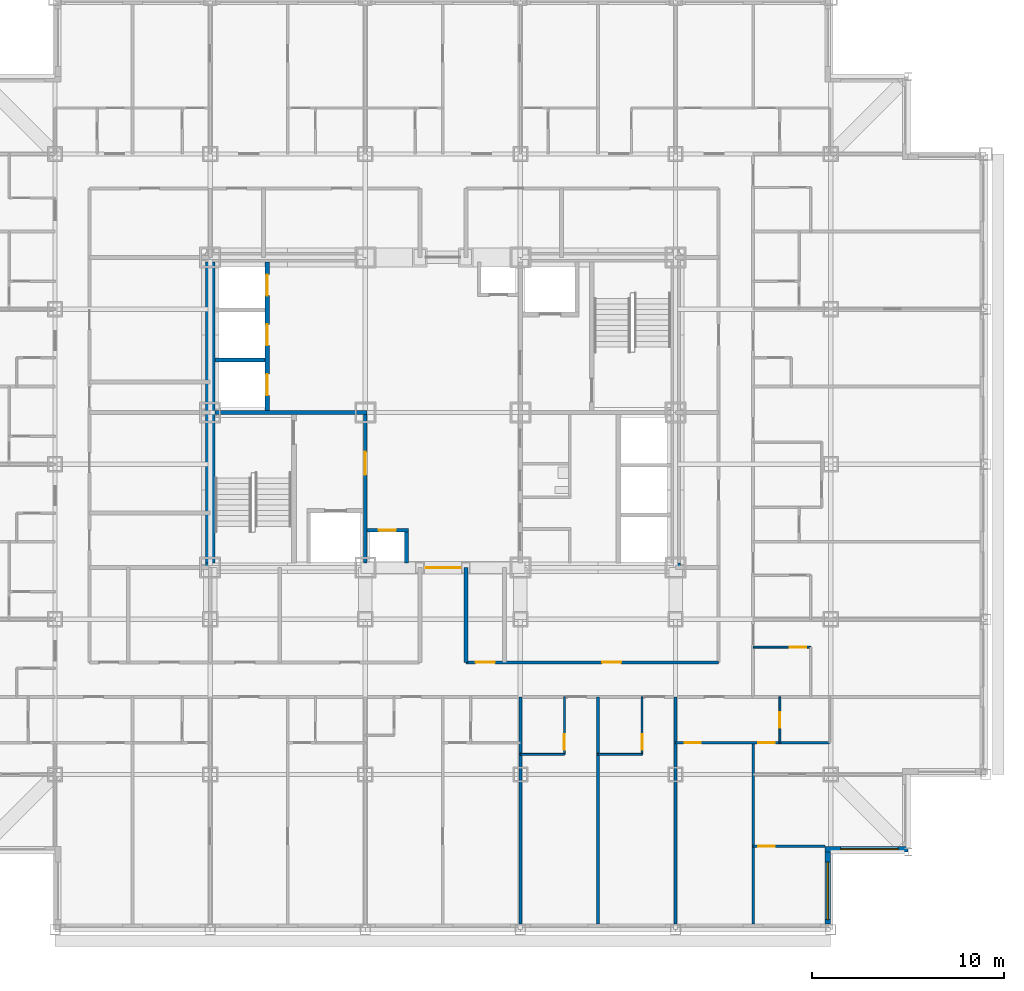
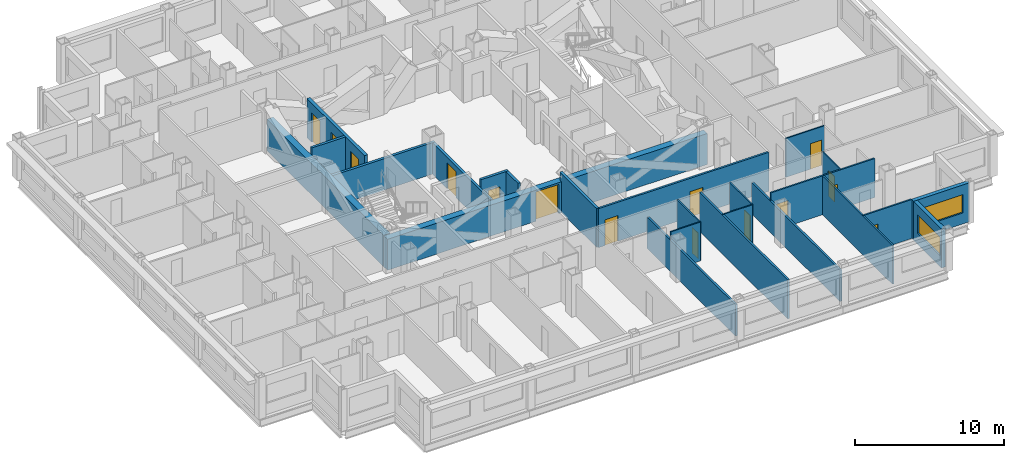
# One storey, part 7 of 15: 24 walls, 15 doors, 2 windows, 17 openings.
"""IFC4 building model written with IfcOpenShell, lengths in metres."""

from ifc_helpers import new_model, si_unit, direction, frame, frame_2d, origin, place, context, subcontext, project, spatial, rectangle, extrude, material, layer, layer_set, type_object, element, fill, save


model = new_model("IFC4")

# Units and contexts
model_context = context("Model", 3, precision=1e-05, world=origin(), true_north=direction((0.0, 1.0)))
body_context = subcontext(model_context, "Body", "Model", "MODEL_VIEW")
ifc_project = project(units=[si_unit("LENGTHUNIT", "METRE"), si_unit("AREAUNIT", "SQUARE_METRE"), si_unit("VOLUMEUNIT", "CUBIC_METRE"), si_unit("PLANEANGLEUNIT", "RADIAN"), si_unit("MASSUNIT", "GRAM", prefix="KILO")], contexts=[model_context])

# Site, building, storey
site_placement = place(None, origin())
site = spatial("IfcSite", under=ifc_project, at=site_placement, CompositionType="ELEMENT")
building_placement = place(site_placement, origin())
building = spatial("IfcBuilding", under=site, at=building_placement, Name="Kopane Lantern Tower", CompositionType="ELEMENT")
storey_placement = place(building_placement, frame((0.0, 0.0, 140.800048828125)))
storey = spatial("IfcBuildingStorey", under=building, at=storey_placement, Name="L36", CompositionType="ELEMENT", Elevation=140.800048828125)

# Wall, openings, doors
ifc_material_1 = material(Name="Gypsum board on steel studs", Category="steel")
ifc_layer_1 = layer(ifc_material_1, 0.1201171875)
ifc_layer_set_1 = layer_set([ifc_layer_1], Name="APARTMENT INTERNAL WALL 120")
wall_type_1 = type_object("IfcWallType", Name="APARTMENT INTERNAL WALL 120", PredefinedType="PARTITIONING", material=ifc_layer_set_1)
wall_1_placement = place(storey_placement, frame((40.5, 15.14990234375, 0.0), z_axis=(0.0, 0.0, 1.0), x_axis=(1.0, 0.0, 0.0)))
wall_1 = element("IfcWall", 1, at=wall_1_placement, inside=storey, type_object=wall_type_1, Name="Apartment Internal Wall 120 L36", PredefinedType="PARTITIONING", context=body_context, shape_type="SweptSolid", body=[
    extrude(rectangle(XDim=8.050048828125, YDim=0.1201171875, at=frame_2d((4.02490234375, 0.0))), origin(), (0.0, 0.0, 1.0), 3.18994140625),
])
opening_1_placement = place(wall_1_placement, frame((0.47509765625, 0.0, 0.0)))
opening_1 = element("IfcOpeningElement", 2, at=opening_1_placement, cuts=wall_1, Name="Opening L36-076", PredefinedType="OPENING", context=body_context, shape_type="SweptSolid", body=[
    extrude(rectangle(XDim=0.85009765625, YDim=2.10009765625, at=frame_2d((0.425048828125, 1.050048828125))), frame((0.0, 0.070068359375, 0.0), z_axis=(0.0, -1.0, 0.0), x_axis=(1.0, 0.0, 0.0)), (0.0, 0.0, 1.0), 0.14013671875),
])
opening_2_placement = place(wall_1_placement, frame((4.324951171875, 0.0, 0.0)))
opening_2 = element("IfcOpeningElement", 3, at=opening_2_placement, cuts=wall_1, Name="Opening L36-078", PredefinedType="OPENING", context=body_context, shape_type="SweptSolid", body=[
    extrude(rectangle(XDim=0.85009765625, YDim=2.10009765625, at=frame_2d((0.425048828125, 1.050048828125))), frame((0.0, 0.070068359375, 0.0), z_axis=(0.0, -1.0, 0.0), x_axis=(1.0, 0.0, 0.0)), (0.0, 0.0, 1.0), 0.14013671875),
])
ifc_material_2 = material(Name="Timber door set", Category="wood")
door_type_1 = type_object("IfcDoorType", Name="DOOR D4 850x2100", OperationType="SINGLE_SWING_LEFT", PredefinedType="DOOR", material=ifc_material_2)
door_1_placement = place(opening_1_placement, origin())
door_1 = element("IfcDoor", 4, at=door_1_placement, inside=storey, type_object=door_type_1, Name="Door L36-076", OperationType="SINGLE_SWING_LEFT", OverallHeight=2.10009765625, OverallWidth=0.85009765625, PredefinedType="DOOR", context=body_context, shape_type="SweptSolid", body=[
    extrude(rectangle(XDim=0.85009765625, YDim=2.10009765625, at=frame_2d((0.425048828125, 1.050048828125))), frame((0.0, 0.02490234375, 0.0), z_axis=(0.0, -1.0, 0.0), x_axis=(1.0, 0.0, 0.0)), (0.0, 0.0, 1.0), 0.050048828125),
])
fill(opening_1, door_1)
door_2_placement = place(opening_2_placement, origin())
door_2 = element("IfcDoor", 5, at=door_2_placement, inside=storey, type_object=door_type_1, Name="Door L36-078", OperationType="SINGLE_SWING_RIGHT", OverallHeight=2.10009765625, OverallWidth=0.85009765625, PredefinedType="DOOR", context=body_context, shape_type="SweptSolid", body=[
    extrude(rectangle(XDim=0.85009765625, YDim=2.10009765625, at=frame_2d((0.425048828125, 1.050048828125))), frame((0.0, 0.02490234375, 0.0), z_axis=(0.0, -1.0, 0.0), x_axis=(1.0, 0.0, 0.0)), (0.0, 0.0, 1.0), 0.050048828125),
])
fill(opening_2, door_2)

# Wall
wall_2_placement = place(storey_placement, frame((44.550048828125, 15.14990234375, 0.0), z_axis=(0.0, 0.0, 1.0), x_axis=(0.0, -1.0, 0.0)))
element("IfcWall", 6, at=wall_2_placement, inside=storey, type_object=wall_type_1, Name="Apartment Internal Wall 120 L36", PredefinedType="PARTITIONING", context=body_context, shape_type="SweptSolid", body=[
    extrude(rectangle(XDim=9.449951171875, YDim=0.1201171875, at=frame_2d((4.72509765625, 0.0))), origin(), (0.0, 0.0, 1.0), 3.18994140625),
])

# Wall, opening, door
wall_3_placement = place(storey_placement, frame((44.550048828125, 9.75, 0.0), z_axis=(0.0, 0.0, 1.0), x_axis=(1.0, 0.0, 0.0)))
wall_3 = element("IfcWall", 7, at=wall_3_placement, inside=storey, type_object=wall_type_1, Name="Apartment Internal Wall 120 L36", PredefinedType="PARTITIONING", context=body_context, shape_type="SweptSolid", body=[
    extrude(rectangle(XDim=3.75, YDim=0.1201171875, at=frame_2d((1.875, 0.0))), origin(), (0.0, 0.0, 1.0), 3.18994140625),
])
opening_3_placement = place(wall_3_placement, frame((0.27490234375, 0.0, 0.0)))
opening_3 = element("IfcOpeningElement", 8, at=opening_3_placement, cuts=wall_3, Name="Opening L36-098", PredefinedType="OPENING", context=body_context, shape_type="SweptSolid", body=[
    extrude(rectangle(XDim=0.85009765625, YDim=2.10009765625, at=frame_2d((0.425048828125, 1.050048828125))), frame((0.0, 0.070068359375, 0.0), z_axis=(0.0, -1.0, 0.0), x_axis=(1.0, 0.0, 0.0)), (0.0, 0.0, 1.0), 0.14013671875),
])
door_3_placement = place(opening_3_placement, origin())
door_3 = element("IfcDoor", 9, at=door_3_placement, inside=storey, type_object=door_type_1, Name="Door L36-098", OperationType="SINGLE_SWING_RIGHT", OverallHeight=2.10009765625, OverallWidth=0.85009765625, PredefinedType="DOOR", context=body_context, shape_type="SweptSolid", body=[
    extrude(rectangle(XDim=0.85009765625, YDim=2.10009765625, at=frame_2d((0.425048828125, 1.050048828125))), frame((0.0, 0.02490234375, 0.0), z_axis=(0.0, -1.0, 0.0), x_axis=(1.0, 0.0, 0.0)), (0.0, 0.0, 1.0), 0.050048828125),
])
fill(opening_3, door_3)

# Wall
ifc_material_3 = material(Name="Moisture-resistant board on steel studs", Category="steel")
ifc_layer_2 = layer(ifc_material_3, 0.10009765625)
ifc_layer_set_2 = layer_set([ifc_layer_2], Name="BATHROOM WALL 100")
wall_type_2 = type_object("IfcWallType", Name="BATHROOM WALL 100", PredefinedType="PARTITIONING", material=ifc_layer_set_2)
wall_4_placement = place(storey_placement, frame((32.39990234375, 14.550048828125, 0.0), z_axis=(0.0, 0.0, 1.0), x_axis=(1.0, 0.0, 0.0)))
element("IfcWall", 10, at=wall_4_placement, inside=storey, type_object=wall_type_2, Name="Bathroom Wall 100 L36", PredefinedType="PARTITIONING", context=body_context, shape_type="SweptSolid", body=[
    extrude(rectangle(XDim=2.300048828125, YDim=0.10009765625, at=frame_2d((1.14990234375, 0.0))), origin(), (0.0, 0.0, 1.0), 3.18994140625),
])

# Wall, opening, door
wall_5_placement = place(storey_placement, frame((34.699951171875, 17.550048828125, 0.0), z_axis=(0.0, 0.0, 1.0), x_axis=(0.0, -1.0, 0.0)))
wall_5 = element("IfcWall", 11, at=wall_5_placement, inside=storey, type_object=wall_type_2, Name="Bathroom Wall 100 L36", PredefinedType="PARTITIONING", context=body_context, shape_type="SweptSolid", body=[
    extrude(rectangle(XDim=3.0, YDim=0.10009765625, at=frame_2d((1.5, 0.0))), origin(), (0.0, 0.0, 1.0), 3.18994140625),
])
opening_4_placement = place(wall_5_placement, frame((1.949951171875, 0.0, 0.0)))
opening_4 = element("IfcOpeningElement", 12, at=opening_4_placement, cuts=wall_5, Name="Opening L36-027", PredefinedType="OPENING", context=body_context, shape_type="SweptSolid", body=[
    extrude(rectangle(XDim=0.800048828125, YDim=2.10009765625, at=frame_2d((0.39990234375, 1.050048828125))), frame((0.0, 0.06005859375, 0.0), z_axis=(0.0, -1.0, 0.0), x_axis=(1.0, 0.0, 0.0)), (0.0, 0.0, 1.0), 0.1201171875),
])
ifc_material_4 = material(Name="Timber door set", Category="wood")
door_type_2 = type_object("IfcDoorType", Name="DOOR D2 800x2100", OperationType="SINGLE_SWING_LEFT", PredefinedType="DOOR", material=ifc_material_4)
door_4_placement = place(opening_4_placement, origin())
door_4 = element("IfcDoor", 13, at=door_4_placement, inside=storey, type_object=door_type_2, Name="Door L36-027", OperationType="SINGLE_SWING_LEFT", OverallHeight=2.10009765625, OverallWidth=0.800048828125, PredefinedType="DOOR", context=body_context, shape_type="SweptSolid", body=[
    extrude(rectangle(XDim=0.800048828125, YDim=2.10009765625, at=frame_2d((0.39990234375, 1.050048828125))), frame((0.0, 0.02490234375, 0.0), z_axis=(0.0, -1.0, 0.0), x_axis=(1.0, 0.0, 0.0)), (0.0, 0.0, 1.0), 0.050048828125),
])
fill(opening_4, door_4)

# Wall
wall_6_placement = place(storey_placement, frame((36.449951171875, 14.550048828125, 0.0), z_axis=(0.0, 0.0, 1.0), x_axis=(1.0, 0.0, 0.0)))
element("IfcWall", 14, at=wall_6_placement, inside=storey, type_object=wall_type_2, Name="Bathroom Wall 100 L36", PredefinedType="PARTITIONING", context=body_context, shape_type="SweptSolid", body=[
    extrude(rectangle(XDim=2.300048828125, YDim=0.10009765625, at=frame_2d((1.14990234375, 0.0))), origin(), (0.0, 0.0, 1.0), 3.18994140625),
])

# Wall, opening, door
wall_7_placement = place(storey_placement, frame((38.75, 17.550048828125, 0.0), z_axis=(0.0, 0.0, 1.0), x_axis=(0.0, -1.0, 0.0)))
wall_7 = element("IfcWall", 15, at=wall_7_placement, inside=storey, type_object=wall_type_2, Name="Bathroom Wall 100 L36", PredefinedType="PARTITIONING", context=body_context, shape_type="SweptSolid", body=[
    extrude(rectangle(XDim=3.0, YDim=0.10009765625, at=frame_2d((1.5, 0.0))), origin(), (0.0, 0.0, 1.0), 3.18994140625),
])
opening_5_placement = place(wall_7_placement, frame((1.949951171875, 0.0, 0.0)))
opening_5 = element("IfcOpeningElement", 16, at=opening_5_placement, cuts=wall_7, Name="Opening L36-029", PredefinedType="OPENING", context=body_context, shape_type="SweptSolid", body=[
    extrude(rectangle(XDim=0.800048828125, YDim=2.10009765625, at=frame_2d((0.39990234375, 1.050048828125))), frame((0.0, 0.06005859375, 0.0), z_axis=(0.0, -1.0, 0.0), x_axis=(1.0, 0.0, 0.0)), (0.0, 0.0, 1.0), 0.1201171875),
])
door_5_placement = place(opening_5_placement, origin())
door_5 = element("IfcDoor", 17, at=door_5_placement, inside=storey, type_object=door_type_2, Name="Door L36-029", OperationType="SINGLE_SWING_LEFT", OverallHeight=2.10009765625, OverallWidth=0.800048828125, PredefinedType="DOOR", context=body_context, shape_type="SweptSolid", body=[
    extrude(rectangle(XDim=0.800048828125, YDim=2.10009765625, at=frame_2d((0.39990234375, 1.050048828125))), frame((0.0, 0.02490234375, 0.0), z_axis=(0.0, -1.0, 0.0), x_axis=(1.0, 0.0, 0.0)), (0.0, 0.0, 1.0), 0.050048828125),
])
fill(opening_5, door_5)

wall_8_placement = place(storey_placement, frame((44.550048828125, 20.14990234375, 0.0), z_axis=(0.0, 0.0, 1.0), x_axis=(1.0, 0.0, 0.0)))
wall_8 = element("IfcWall", 18, at=wall_8_placement, inside=storey, type_object=wall_type_2, Name="Bathroom Wall 100 L36", PredefinedType="PARTITIONING", context=body_context, shape_type="SweptSolid", body=[
    extrude(rectangle(XDim=3.0, YDim=0.10009765625, at=frame_2d((1.5, 0.0))), origin(), (0.0, 0.0, 1.0), 3.18994140625),
])
opening_6_placement = place(wall_8_placement, frame((1.925048828125, 0.0, 0.0)))
opening_6 = element("IfcOpeningElement", 19, at=opening_6_placement, cuts=wall_8, Name="Opening L36-057", PredefinedType="OPENING", context=body_context, shape_type="SweptSolid", body=[
    extrude(rectangle(XDim=0.85009765625, YDim=2.10009765625, at=frame_2d((0.425048828125, 1.050048828125))), frame((0.0, 0.06005859375, 0.0), z_axis=(0.0, -1.0, 0.0), x_axis=(1.0, 0.0, 0.0)), (0.0, 0.0, 1.0), 0.1201171875),
])
door_6_placement = place(opening_6_placement, origin())
door_6 = element("IfcDoor", 20, at=door_6_placement, inside=storey, type_object=door_type_1, Name="Door L36-057", OperationType="SINGLE_SWING_LEFT", OverallHeight=2.10009765625, OverallWidth=0.85009765625, PredefinedType="DOOR", context=body_context, shape_type="SweptSolid", body=[
    extrude(rectangle(XDim=0.85009765625, YDim=2.10009765625, at=frame_2d((0.425048828125, 1.050048828125))), frame((0.0, 0.02490234375, 0.0), z_axis=(0.0, -1.0, 0.0), x_axis=(1.0, 0.0, 0.0)), (0.0, 0.0, 1.0), 0.050048828125),
])
fill(opening_6, door_6)

wall_9_placement = place(storey_placement, frame((45.949951171875, 17.550048828125, 0.0), z_axis=(0.0, 0.0, 1.0), x_axis=(0.0, -1.0, 0.0)))
wall_9 = element("IfcWall", 21, at=wall_9_placement, inside=storey, type_object=wall_type_2, Name="Bathroom Wall 100 L36", PredefinedType="PARTITIONING", context=body_context, shape_type="SweptSolid", body=[
    extrude(rectangle(XDim=2.400146484375, YDim=0.10009765625, at=frame_2d((1.2001953125, 0.0))), origin(), (0.0, 0.0, 1.0), 3.18994140625),
])
opening_7_placement = place(wall_9_placement, frame((0.800048828125, 0.0, 0.0)))
opening_7 = element("IfcOpeningElement", 22, at=opening_7_placement, cuts=wall_9, Name="Opening L36-077", PredefinedType="OPENING", context=body_context, shape_type="SweptSolid", body=[
    extrude(rectangle(XDim=0.800048828125, YDim=2.10009765625, at=frame_2d((0.39990234375, 1.050048828125))), frame((0.0, 0.06005859375, 0.0), z_axis=(0.0, -1.0, 0.0), x_axis=(1.0, 0.0, 0.0)), (0.0, 0.0, 1.0), 0.1201171875),
])
door_7_placement = place(opening_7_placement, origin())
door_7 = element("IfcDoor", 23, at=door_7_placement, inside=storey, type_object=door_type_2, Name="Door L36-077", OperationType="SINGLE_SWING_LEFT", OverallHeight=2.10009765625, OverallWidth=0.800048828125, PredefinedType="DOOR", context=body_context, shape_type="SweptSolid", body=[
    extrude(rectangle(XDim=0.800048828125, YDim=2.10009765625, at=frame_2d((0.39990234375, 1.050048828125))), frame((0.0, 0.02490234375, 0.0), z_axis=(0.0, -1.0, 0.0), x_axis=(1.0, 0.0, 0.0)), (0.0, 0.0, 1.0), 0.050048828125),
])
fill(opening_7, door_7)

ifc_material_5 = material(Name="Gypsum shaft wall EI 120", Category="gypsum")
ifc_layer_3 = layer(ifc_material_5, 0.5)
ifc_layer_set_3 = layer_set([ifc_layer_3], Name="CORE PERIMETER WALL 500 EI 120")
wall_type_3 = type_object("IfcWallType", Name="CORE PERIMETER WALL 500 EI 120", PredefinedType="SOLIDWALL", material=ifc_layer_set_3)
wall_10_placement = place(storey_placement, frame((15.949951171875, 24.300048828125, 0.0), z_axis=(0.0, 0.0, 1.0), x_axis=(1.0, 0.0, 0.0)))
wall_10 = element("IfcWall", 24, at=wall_10_placement, inside=storey, type_object=wall_type_3, Name="Core shaft wall L36 PS", PredefinedType="SOLIDWALL", context=body_context, shape_type="SweptSolid", body=[
    extrude(rectangle(XDim=24.800048828125, YDim=0.5, at=frame_2d((12.39990234375, 0.0))), origin(), (0.0, 0.0, 1.0), 2.5400390625),
])
opening_8_placement = place(wall_10_placement, frame((11.5, 0.0, 0.0)))
opening_8 = element("IfcOpeningElement", 25, at=opening_8_placement, cuts=wall_10, Name="Opening 36.CE-S", PredefinedType="OPENING", context=body_context, shape_type="SweptSolid", body=[
    extrude(rectangle(XDim=1.800048828125, YDim=2.39990234375, at=frame_2d((0.89990234375, 1.199951171875))), frame((0.0, 0.260009765625, 0.0), z_axis=(0.0, -1.0, 0.0), x_axis=(1.0, 0.0, 0.0)), (0.0, 0.0, 1.0), 0.52001953125),
])
ifc_material_6 = material(Name="Steel door set", Category="steel")
door_type_3 = type_object("IfcDoorType", Name="CORE ENTRY DOOR 1800x2400 FD60S", OperationType="DOUBLE_DOOR_SINGLE_SWING", PredefinedType="DOOR", material=ifc_material_6)
door_8_placement = place(opening_8_placement, origin())
door_8 = element("IfcDoor", 26, at=door_8_placement, inside=storey, type_object=door_type_3, Name="Core entry door L36 south", OperationType="DOUBLE_DOOR_SINGLE_SWING", OverallHeight=2.39990234375, OverallWidth=1.800048828125, PredefinedType="DOOR", context=body_context, shape_type="SweptSolid", body=[
    extrude(rectangle(XDim=1.800048828125, YDim=2.39990234375, at=frame_2d((0.89990234375, 1.199951171875))), frame((0.0, 0.02490234375, 0.0), z_axis=(0.0, -1.0, 0.0), x_axis=(1.0, 0.0, 0.0)), (0.0, 0.0, 1.0), 0.050048828125),
])
fill(opening_8, door_8)

# Wall
wall_11_placement = place(storey_placement, frame((16.199951171875, 24.550048828125, 0.0), z_axis=(0.0, 0.0, 1.0), x_axis=(0.0, 1.0, 0.0)))
element("IfcWall", 27, at=wall_11_placement, inside=storey, type_object=wall_type_3, Name="Core shaft wall L36 PW", PredefinedType="SOLIDWALL", context=body_context, shape_type="SweptSolid", body=[
    extrude(rectangle(XDim=15.699951171875, YDim=0.5, at=frame_2d((7.85009765625, 0.0))), origin(), (0.0, 0.0, 1.0), 2.57763671875),
])

# Wall, openings, doors
ifc_material_7 = material(Name="Gypsum shaft wall EI 120", Category="gypsum")
ifc_layer_4 = layer(ifc_material_7, 0.25)
ifc_layer_set_4 = layer_set([ifc_layer_4], Name="CORE SHAFT WALL 250 EI 120")
wall_type_4 = type_object("IfcWallType", Name="CORE SHAFT WALL 250 EI 120", PredefinedType="SOLIDWALL", material=ifc_layer_set_4)
wall_12_placement = place(storey_placement, frame((19.175048828125, 32.5, 0.0), z_axis=(0.0, 0.0, 1.0), x_axis=(0.0, 1.0, 0.0)))
wall_12 = element("IfcWall", 28, at=wall_12_placement, inside=storey, type_object=wall_type_4, Name="Core shaft wall L36 XLH", PredefinedType="SOLIDWALL", context=body_context, shape_type="SweptSolid", body=[
    extrude(rectangle(XDim=7.75, YDim=0.25, at=frame_2d((3.875, 0.0))), origin(), (0.0, 0.0, 1.0), 3.18994140625),
])
opening_9_placement = place(wall_12_placement, frame((0.800048828125, 0.0, 0.0)))
opening_9 = element("IfcOpeningElement", 29, at=opening_9_placement, cuts=wall_12, Name="Opening 36.LD-LH1", PredefinedType="OPENING", context=body_context, shape_type="SweptSolid", body=[
    extrude(rectangle(XDim=1.10009765625, YDim=2.39990234375, at=frame_2d((0.550048828125, 1.199951171875))), frame((0.0, 0.135009765625, 0.0), z_axis=(0.0, -1.0, 0.0), x_axis=(1.0, 0.0, 0.0)), (0.0, 0.0, 1.0), 0.27001953125),
])
opening_10_placement = place(wall_12_placement, frame((3.39990234375, 0.0, 0.0)))
opening_10 = element("IfcOpeningElement", 30, at=opening_10_placement, cuts=wall_12, Name="Opening 36.LD-LH2", PredefinedType="OPENING", context=body_context, shape_type="SweptSolid", body=[
    extrude(rectangle(XDim=1.10009765625, YDim=2.39990234375, at=frame_2d((0.550048828125, 1.199951171875))), frame((0.0, 0.135009765625, 0.0), z_axis=(0.0, -1.0, 0.0), x_axis=(1.0, 0.0, 0.0)), (0.0, 0.0, 1.0), 0.27001953125),
])
opening_11_placement = place(wall_12_placement, frame((6.0, 0.0, 0.0)))
opening_11 = element("IfcOpeningElement", 31, at=opening_11_placement, cuts=wall_12, Name="Opening 36.LD-LH3", PredefinedType="OPENING", context=body_context, shape_type="SweptSolid", body=[
    extrude(rectangle(XDim=1.10009765625, YDim=2.39990234375, at=frame_2d((0.550048828125, 1.199951171875))), frame((0.0, 0.135009765625, 0.0), z_axis=(0.0, -1.0, 0.0), x_axis=(1.0, 0.0, 0.0)), (0.0, 0.0, 1.0), 0.27001953125),
])
ifc_material_8 = material(Name="Steel door set", Category="steel")
door_type_4 = type_object("IfcDoorType", Name="LIFT LANDING DOOR 1100x2400 FD60", OperationType="DOUBLE_DOOR_SLIDING", PredefinedType="DOOR", material=ifc_material_8)
door_9_placement = place(opening_9_placement, origin())
door_9 = element("IfcDoor", 32, at=door_9_placement, inside=storey, type_object=door_type_4, Name="Landing door LH1 L36", OperationType="DOUBLE_DOOR_SLIDING", OverallHeight=2.39990234375, OverallWidth=1.10009765625, PredefinedType="DOOR", context=body_context, shape_type="SweptSolid", body=[
    extrude(rectangle(XDim=1.10009765625, YDim=2.39990234375, at=frame_2d((0.550048828125, 1.199951171875))), frame((0.0, 0.02490234375, 0.0), z_axis=(0.0, -1.0, 0.0), x_axis=(1.0, 0.0, 0.0)), (0.0, 0.0, 1.0), 0.050048828125),
])
fill(opening_9, door_9)
door_10_placement = place(opening_10_placement, origin())
door_10 = element("IfcDoor", 33, at=door_10_placement, inside=storey, type_object=door_type_4, Name="Landing door LH2 L36", OperationType="DOUBLE_DOOR_SLIDING", OverallHeight=2.39990234375, OverallWidth=1.10009765625, PredefinedType="DOOR", context=body_context, shape_type="SweptSolid", body=[
    extrude(rectangle(XDim=1.10009765625, YDim=2.39990234375, at=frame_2d((0.550048828125, 1.199951171875))), frame((0.0, 0.02490234375, 0.0), z_axis=(0.0, -1.0, 0.0), x_axis=(1.0, 0.0, 0.0)), (0.0, 0.0, 1.0), 0.050048828125),
])
fill(opening_10, door_10)
door_11_placement = place(opening_11_placement, origin())
door_11 = element("IfcDoor", 34, at=door_11_placement, inside=storey, type_object=door_type_4, Name="Landing door LH3 L36", OperationType="DOUBLE_DOOR_SLIDING", OverallHeight=2.39990234375, OverallWidth=1.10009765625, PredefinedType="DOOR", context=body_context, shape_type="SweptSolid", body=[
    extrude(rectangle(XDim=1.10009765625, YDim=2.39990234375, at=frame_2d((0.550048828125, 1.199951171875))), frame((0.0, 0.02490234375, 0.0), z_axis=(0.0, -1.0, 0.0), x_axis=(1.0, 0.0, 0.0)), (0.0, 0.0, 1.0), 0.050048828125),
])
fill(opening_11, door_11)

ifc_material_9 = material(Name="Gypsum board on steel studs", Category="steel")
ifc_layer_5 = layer(ifc_material_9, 0.14990234375)
ifc_layer_set_5 = layer_set([ifc_layer_5], Name="CORRIDOR WALL 150 EI 60")
wall_type_5 = type_object("IfcWallType", Name="CORRIDOR WALL 150 EI 60", PredefinedType="PARTITIONING", material=ifc_layer_set_5)
wall_13_placement = place(storey_placement, frame((29.56005859375, 19.35009765625, 0.0), z_axis=(0.0, 0.0, 1.0), x_axis=(1.0, 0.0, 0.0)))
wall_13 = element("IfcWall", 35, at=wall_13_placement, inside=storey, type_object=wall_type_5, Name="Corridor Wall 150 Ei 60 L36", PredefinedType="PARTITIONING", context=body_context, shape_type="SweptSolid", body=[
    extrude(rectangle(XDim=13.18994140625, YDim=0.14990234375, at=frame_2d((6.594970703125, 0.0))), origin(), (0.0, 0.0, 1.0), 3.18994140625),
])
opening_12_placement = place(wall_13_placement, frame((0.5, 0.0, 0.0)))
opening_12 = element("IfcOpeningElement", 36, at=opening_12_placement, cuts=wall_13, Name="Opening L36-011", PredefinedType="OPENING", context=body_context, shape_type="SweptSolid", body=[
    extrude(rectangle(XDim=1.0, YDim=2.10009765625, at=frame_2d((0.5, 1.050048828125))), frame((0.0, 0.0849609375, 0.0), z_axis=(0.0, -1.0, 0.0), x_axis=(1.0, 0.0, 0.0)), (0.0, 0.0, 1.0), 0.169921875),
])
opening_13_placement = place(wall_13_placement, frame((7.10009765625, 0.0, 0.0)))
opening_13 = element("IfcOpeningElement", 37, at=opening_13_placement, cuts=wall_13, Name="Opening L36-012", PredefinedType="OPENING", context=body_context, shape_type="SweptSolid", body=[
    extrude(rectangle(XDim=1.0, YDim=2.10009765625, at=frame_2d((0.5, 1.050048828125))), frame((0.0, 0.0849609375, 0.0), z_axis=(0.0, -1.0, 0.0), x_axis=(1.0, 0.0, 0.0)), (0.0, 0.0, 1.0), 0.169921875),
])
ifc_material_10 = material(Name="Steel door set", Category="steel")
door_type_5 = type_object("IfcDoorType", Name="DOOR D5 1000x2100 FD60", OperationType="SINGLE_SWING_LEFT", PredefinedType="DOOR", material=ifc_material_10)
door_12_placement = place(opening_12_placement, origin())
door_12 = element("IfcDoor", 38, at=door_12_placement, inside=storey, type_object=door_type_5, Name="Door L36-011", OperationType="SINGLE_SWING_LEFT", OverallHeight=2.10009765625, OverallWidth=1.0, PredefinedType="DOOR", context=body_context, shape_type="SweptSolid", body=[
    extrude(rectangle(XDim=1.0, YDim=2.10009765625, at=frame_2d((0.5, 1.050048828125))), frame((0.0, 0.02490234375, 0.0), z_axis=(0.0, -1.0, 0.0), x_axis=(1.0, 0.0, 0.0)), (0.0, 0.0, 1.0), 0.050048828125),
])
fill(opening_12, door_12)
door_13_placement = place(opening_13_placement, origin())
door_13 = element("IfcDoor", 39, at=door_13_placement, inside=storey, type_object=door_type_5, Name="Door L36-012", OperationType="SINGLE_SWING_RIGHT", OverallHeight=2.10009765625, OverallWidth=1.0, PredefinedType="DOOR", context=body_context, shape_type="SweptSolid", body=[
    extrude(rectangle(XDim=1.0, YDim=2.10009765625, at=frame_2d((0.5, 1.050048828125))), frame((0.0, 0.02490234375, 0.0), z_axis=(0.0, -1.0, 0.0), x_axis=(1.0, 0.0, 0.0)), (0.0, 0.0, 1.0), 0.050048828125),
])
fill(opening_13, door_13)

# Walls
ifc_material_11 = material(Name="Gypsum board on steel studs", Category="steel")
ifc_layer_6 = layer(ifc_material_11, 0.14990234375)
ifc_layer_set_6 = layer_set([ifc_layer_6], Name="DEMISING WALL 150 EI 60")
wall_type_6 = type_object("IfcWallType", Name="DEMISING WALL 150 EI 60", PredefinedType="PARTITIONING", material=ifc_layer_set_6)
wall_14_placement = place(storey_placement, frame((32.39990234375, 17.550048828125, 0.0), z_axis=(0.0, 0.0, 1.0), x_axis=(0.0, -1.0, 0.0)))
element("IfcWall", 40, at=wall_14_placement, inside=storey, type_object=wall_type_6, Name="Demising Wall 150 Ei 60 L36", PredefinedType="PARTITIONING", context=body_context, shape_type="SweptSolid", body=[
    extrude(rectangle(XDim=11.85009765625, YDim=0.14990234375, at=frame_2d((5.925048828125, 0.0))), origin(), (0.0, 0.0, 1.0), 2.57763671875),
])
wall_15_placement = place(storey_placement, frame((36.449951171875, 17.550048828125, 0.0), z_axis=(0.0, 0.0, 1.0), x_axis=(0.0, -1.0, 0.0)))
element("IfcWall", 41, at=wall_15_placement, inside=storey, type_object=wall_type_6, Name="Demising Wall 150 Ei 60 L36", PredefinedType="PARTITIONING", context=body_context, shape_type="SweptSolid", body=[
    extrude(rectangle(XDim=11.85009765625, YDim=0.14990234375, at=frame_2d((5.925048828125, 0.0))), origin(), (0.0, 0.0, 1.0), 3.18994140625),
])
wall_16_placement = place(storey_placement, frame((40.5, 17.550048828125, 0.0), z_axis=(0.0, 0.0, 1.0), x_axis=(0.0, -1.0, 0.0)))
element("IfcWall", 42, at=wall_16_placement, inside=storey, type_object=wall_type_6, Name="Demising Wall 150 Ei 60 L36", PredefinedType="PARTITIONING", context=body_context, shape_type="SweptSolid", body=[
    extrude(rectangle(XDim=11.85009765625, YDim=0.14990234375, at=frame_2d((5.925048828125, 0.0))), origin(), (0.0, 0.0, 1.0), 2.57763671875),
])

# Wall, opening, window
ifc_material_12 = material(Name="Terracotta rainscreen on light steel framing", Category="masonry")
ifc_layer_7 = layer(ifc_material_12, 0.300048828125)
ifc_layer_set_7 = layer_set([ifc_layer_7], Name="EXTERNAL WALL EW1 300 TERRACOTTA")
wall_type_7 = type_object("IfcWallType", Name="EXTERNAL WALL EW1 300 TERRACOTTA", PredefinedType="SOLIDWALL", material=ifc_layer_set_7)
wall_17_placement = place(storey_placement, frame((48.449951171875, 5.699951171875, 0.0), z_axis=(0.0, 0.0, 1.0), x_axis=(0.0, 1.0, 0.0)))
wall_17 = element("IfcWall", 43, at=wall_17_placement, inside=storey, type_object=wall_type_7, Name="External wall E L36", PredefinedType="SOLIDWALL", context=body_context, shape_type="SweptSolid", body=[
    extrude(rectangle(XDim=3.75, YDim=0.300048828125, at=frame_2d((1.875, 0.0))), origin(), (0.0, 0.0, 1.0), 3.18994140625),
])
opening_14_placement = place(wall_17_placement, frame((0.22509765625, 0.0, 0.89990234375)))
opening_14 = element("IfcOpeningElement", 44, at=opening_14_placement, cuts=wall_17, Name="Opening WR300150", PredefinedType="OPENING", context=body_context, shape_type="SweptSolid", body=[
    extrude(rectangle(XDim=3.0, YDim=1.5, at=frame_2d((1.5, 0.75))), frame((0.0, 0.159912109375, 0.0), z_axis=(0.0, -1.0, 0.0), x_axis=(1.0, 0.0, 0.0)), (0.0, 0.0, 1.0), 0.320068359375),
])
ifc_material_13 = material(Name="Aluminium and clear glass", Category="aluminium")
window_type = type_object("IfcWindowType", Name="RIBBON WINDOW WR300150 3000x1500", PartitioningType="SINGLE_PANEL", PredefinedType="WINDOW", material=ifc_material_13)
window_1_placement = place(opening_14_placement, origin())
window_1 = element("IfcWindow", 45, at=window_1_placement, inside=storey, type_object=window_type, Name="Window E L36", OverallHeight=1.5, OverallWidth=3.0, PartitioningType="SINGLE_PANEL", PredefinedType="WINDOW", context=body_context, shape_type="SweptSolid", body=[
    extrude(rectangle(XDim=3.0, YDim=1.5, at=frame_2d((1.5, 0.75))), frame((0.0, 0.030029296875, 0.0), z_axis=(0.0, -1.0, 0.0), x_axis=(1.0, 0.0, 0.0)), (0.0, 0.0, 1.0), 0.06005859375),
])
fill(opening_14, window_1)

wall_18_placement = place(storey_placement, frame((48.300048828125, 9.60009765625, 0.0), z_axis=(0.0, 0.0, 1.0), x_axis=(1.0, 0.0, 0.0)))
wall_18 = element("IfcWall", 46, at=wall_18_placement, inside=storey, type_object=wall_type_7, Name="External wall S L36", PredefinedType="SOLIDWALL", context=body_context, shape_type="SweptSolid", body=[
    extrude(rectangle(XDim=4.349853515625, YDim=0.300048828125, at=frame_2d((2.1748046875, 0.0))), origin(), (0.0, 0.0, 1.0), 3.18994140625),
])
opening_15_placement = place(wall_18_placement, frame((0.824951171875, 0.0, 0.89990234375)))
opening_15 = element("IfcOpeningElement", 47, at=opening_15_placement, cuts=wall_18, Name="Opening WR300150", PredefinedType="OPENING", context=body_context, shape_type="SweptSolid", body=[
    extrude(rectangle(XDim=3.0, YDim=1.5, at=frame_2d((1.5, 0.75))), frame((0.0, 0.159912109375, 0.0), z_axis=(0.0, -1.0, 0.0), x_axis=(1.0, 0.0, 0.0)), (0.0, 0.0, 1.0), 0.320068359375),
])
window_2_placement = place(opening_15_placement, origin())
window_2 = element("IfcWindow", 48, at=window_2_placement, inside=storey, type_object=window_type, Name="Window S L36", OverallHeight=1.5, OverallWidth=3.0, PartitioningType="SINGLE_PANEL", PredefinedType="WINDOW", context=body_context, shape_type="SweptSolid", body=[
    extrude(rectangle(XDim=3.0, YDim=1.5, at=frame_2d((1.5, 0.75))), frame((0.0, 0.030029296875, 0.0), z_axis=(0.0, -1.0, 0.0), x_axis=(1.0, 0.0, 0.0)), (0.0, 0.0, 1.0), 0.06005859375),
])
fill(opening_15, window_2)

# Walls
ifc_material_14 = material(Name="Concrete masonry", Category="masonry")
ifc_layer_8 = layer(ifc_material_14, 0.199951171875)
ifc_layer_set_8 = layer_set([ifc_layer_8], Name="PLANT ROOM WALL 200 EI 120")
wall_type_8 = type_object("IfcWallType", Name="PLANT ROOM WALL 200 EI 120", PredefinedType="SOLIDWALL", material=ifc_layer_set_8)
wall_19_placement = place(storey_placement, frame((29.550048828125, 19.35009765625, 0.0), z_axis=(0.0, 0.0, 1.0), x_axis=(0.0, 1.0, 0.0)))
element("IfcWall", 49, at=wall_19_placement, inside=storey, type_object=wall_type_8, Name="Plant Room Wall 200 Ei 120 L36", PredefinedType="SOLIDWALL", context=body_context, shape_type="SweptSolid", body=[
    extrude(rectangle(XDim=4.949951171875, YDim=0.199951171875, at=frame_2d((2.47509765625, 0.0))), origin(), (0.0, 0.0, 1.0), 3.18994140625),
])
ifc_material_15 = material(Name="Gypsum shaft wall EI 120", Category="gypsum")
ifc_layer_9 = layer(ifc_material_15, 0.199951171875)
ifc_layer_set_9 = layer_set([ifc_layer_9], Name="SHAFT WALL 200 EI 120")
wall_type_9 = type_object("IfcWallType", Name="SHAFT WALL 200 EI 120", PredefinedType="SOLIDWALL", material=ifc_layer_set_9)
wall_20_placement = place(storey_placement, frame((16.449951171875, 32.39990234375, 0.0), z_axis=(0.0, 0.0, 1.0), x_axis=(1.0, 0.0, 0.0)))
element("IfcWall", 50, at=wall_20_placement, inside=storey, type_object=wall_type_9, Name="Core shaft wall L36 Y324W", PredefinedType="SOLIDWALL", context=body_context, shape_type="SweptSolid", body=[
    extrude(rectangle(XDim=7.949951171875, YDim=0.199951171875, at=frame_2d((3.97509765625, 0.0))), origin(), (0.0, 0.0, 1.0), 2.57763671875),
])

# Wall, opening, door
wall_21_placement = place(storey_placement, frame((24.300048828125, 24.550048828125, 0.0), z_axis=(0.0, 0.0, 1.0), x_axis=(0.0, 1.0, 0.0)))
wall_21 = element("IfcWall", 51, at=wall_21_placement, inside=storey, type_object=wall_type_9, Name="Core shaft wall L36 X243", PredefinedType="SOLIDWALL", context=body_context, shape_type="SweptSolid", body=[
    extrude(rectangle(XDim=7.75, YDim=0.199951171875, at=frame_2d((3.875, 0.0))), origin(), (0.0, 0.0, 1.0), 2.57763671875),
])
opening_16_placement = place(wall_21_placement, frame((4.60009765625, 0.0, 0.0)))
opening_16 = element("IfcOpeningElement", 52, at=opening_16_placement, cuts=wall_21, Name="Opening 36.FL1", PredefinedType="OPENING", context=body_context, shape_type="SweptSolid", body=[
    extrude(rectangle(XDim=1.199951171875, YDim=2.10009765625, at=frame_2d((0.60009765625, 1.050048828125))), frame((0.0, 0.10986328125, 0.0), z_axis=(0.0, -1.0, 0.0), x_axis=(1.0, 0.0, 0.0)), (0.0, 0.0, 1.0), 0.219970703125),
])
ifc_material_16 = material(Name="Steel door set", Category="steel")
door_type_6 = type_object("IfcDoorType", Name="FIREFIGHTING LOBBY DOOR 1200x2100 FD60S", OperationType="SINGLE_SWING_RIGHT", PredefinedType="DOOR", material=ifc_material_16)
door_14_placement = place(opening_16_placement, origin())
door_14 = element("IfcDoor", 53, at=door_14_placement, inside=storey, type_object=door_type_6, Name="Firefighting lobby door FL1 L36", OperationType="SINGLE_SWING_LEFT", OverallHeight=2.10009765625, OverallWidth=1.199951171875, PredefinedType="DOOR", context=body_context, shape_type="SweptSolid", body=[
    extrude(rectangle(XDim=1.199951171875, YDim=2.10009765625, at=frame_2d((0.60009765625, 1.050048828125))), frame((0.0, 0.02490234375, 0.0), z_axis=(0.0, -1.0, 0.0), x_axis=(1.0, 0.0, 0.0)), (0.0, 0.0, 1.0), 0.050048828125),
])
fill(opening_16, door_14)

# Walls
wall_22_placement = place(storey_placement, frame((16.449951171875, 35.14990234375, 0.0), z_axis=(0.0, 0.0, 1.0), x_axis=(1.0, 0.0, 0.0)))
element("IfcWall", 54, at=wall_22_placement, inside=storey, type_object=wall_type_9, Name="Core shaft wall L36 YLH12", PredefinedType="SOLIDWALL", context=body_context, shape_type="SweptSolid", body=[
    extrude(rectangle(XDim=2.60009765625, YDim=0.199951171875, at=frame_2d((1.300048828125, 0.0))), origin(), (0.0, 0.0, 1.0), 3.18994140625),
])
wall_23_placement = place(storey_placement, frame((26.449951171875, 24.550048828125, 0.0), z_axis=(0.0, 0.0, 1.0), x_axis=(0.0, 1.0, 0.0)))
element("IfcWall", 55, at=wall_23_placement, inside=storey, type_object=wall_type_9, Name="Core shaft wall L36 XRS1", PredefinedType="SOLIDWALL", context=body_context, shape_type="SweptSolid", body=[
    extrude(rectangle(XDim=1.599853515625, YDim=0.199951171875, at=frame_2d((0.7998046875, 0.0))), origin(), (0.0, 0.0, 1.0), 3.18994140625),
])

# Wall, opening, door
wall_24_placement = place(storey_placement, frame((24.39990234375, 26.25, 0.0), z_axis=(0.0, 0.0, 1.0), x_axis=(1.0, 0.0, 0.0)))
wall_24 = element("IfcWall", 56, at=wall_24_placement, inside=storey, type_object=wall_type_9, Name="Core shaft wall L36 YRS1", PredefinedType="SOLIDWALL", context=body_context, shape_type="SweptSolid", body=[
    extrude(rectangle(XDim=2.150146484375, YDim=0.199951171875, at=frame_2d((1.0751953125, 0.0))), origin(), (0.0, 0.0, 1.0), 3.18994140625),
])
opening_17_placement = place(wall_24_placement, frame((0.60009765625, 0.0, 0.0)))
opening_17 = element("IfcOpeningElement", 57, at=opening_17_placement, cuts=wall_24, Name="Opening 36.RS1", PredefinedType="OPENING", context=body_context, shape_type="SweptSolid", body=[
    extrude(rectangle(XDim=0.89990234375, YDim=2.10009765625, at=frame_2d((0.449951171875, 1.050048828125))), frame((0.0, 0.10986328125, 0.0), z_axis=(0.0, -1.0, 0.0), x_axis=(1.0, 0.0, 0.0)), (0.0, 0.0, 1.0), 0.219970703125),
])
ifc_material_17 = material(Name="Steel door set", Category="steel")
door_type_7 = type_object("IfcDoorType", Name="RISER ACCESS DOOR 900x2100 FD60", OperationType="SINGLE_SWING_LEFT", PredefinedType="DOOR", material=ifc_material_17)
door_15_placement = place(opening_17_placement, origin())
door_15 = element("IfcDoor", 58, at=door_15_placement, inside=storey, type_object=door_type_7, Name="Riser access door RS1 L36", OperationType="SINGLE_SWING_LEFT", OverallHeight=2.10009765625, OverallWidth=0.89990234375, PredefinedType="DOOR", context=body_context, shape_type="SweptSolid", body=[
    extrude(rectangle(XDim=0.89990234375, YDim=2.10009765625, at=frame_2d((0.449951171875, 1.050048828125))), frame((0.0, 0.02490234375, 0.0), z_axis=(0.0, -1.0, 0.0), x_axis=(1.0, 0.0, 0.0)), (0.0, 0.0, 1.0), 0.050048828125),
])
fill(opening_17, door_15)

save(model, "model.ifc")
